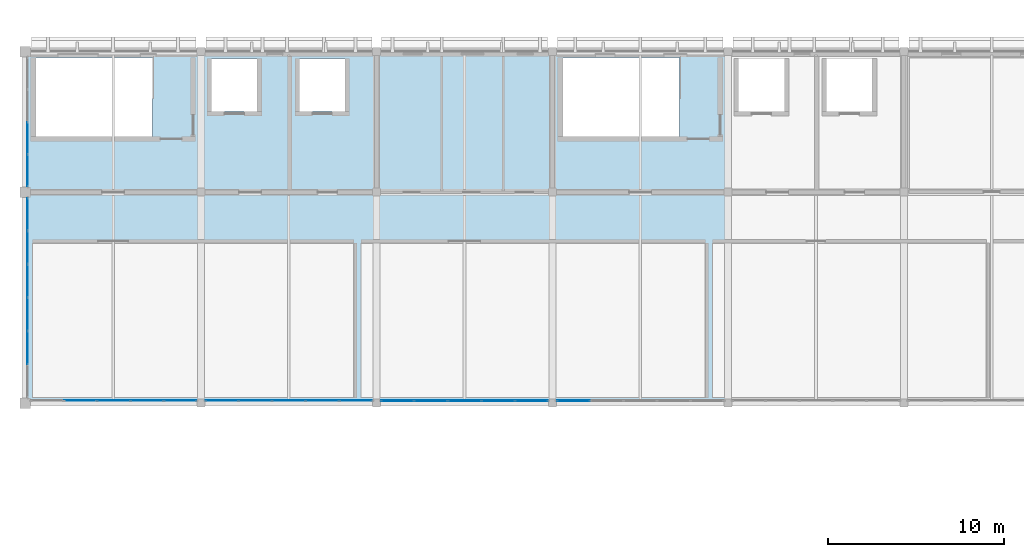
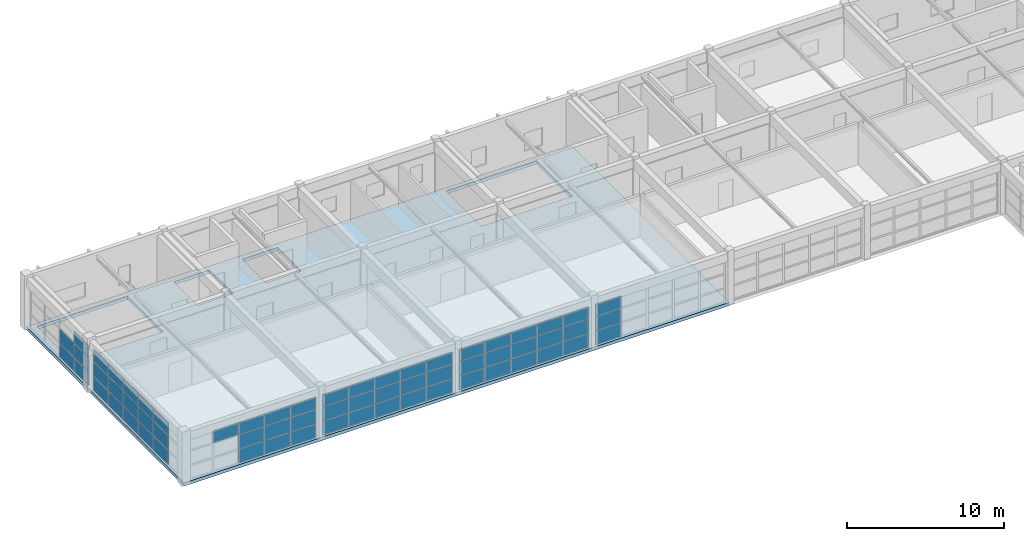
# One storey, part 10 of 16: 63 plates, 1 slab, 6 elements without a shape of their own.
"""IFC4 building model written with IfcOpenShell, lengths in metres."""

from ifc_helpers import new_model, si_unit, direction, frame, origin, origin_2d, place, context, subcontext, project, spatial, polyline, rectangle, outline, extrude, material, layer, layer_set, type_object, element, aggregate, save


model = new_model("IFC4")

# Units and contexts
model_context = context("Model", 3, precision=1e-05, world=origin(), true_north=direction((0.0, 1.0)))
body_context = subcontext(model_context, "Body", "Model", "MODEL_VIEW")
ifc_project = project(units=[si_unit("LENGTHUNIT", "METRE"), si_unit("AREAUNIT", "SQUARE_METRE"), si_unit("VOLUMEUNIT", "CUBIC_METRE"), si_unit("PLANEANGLEUNIT", "RADIAN"), si_unit("MASSUNIT", "GRAM", prefix="KILO")], contexts=[model_context])

# Site, building, storey
site_placement = place(None, origin())
site = spatial("IfcSite", under=ifc_project, at=site_placement, CompositionType="ELEMENT")
building_placement = place(site_placement, origin())
building = spatial("IfcBuilding", under=site, at=building_placement, Name="Kivolera Central Railway Station", CompositionType="ELEMENT")
storey_placement = place(building_placement, frame((0.0, 0.0, 27.0)))
storey = spatial("IfcBuildingStorey", under=building, at=storey_placement, Name="L06", CompositionType="ELEMENT", Elevation=27.0)

# Curtain wall, plates
ifc_material_1 = material(Name="Anodised aluminium", Category="aluminium")
ifc_layer_1 = layer(ifc_material_1, 0.179931640625, Name="Anodised aluminium")
ifc_layer_set_1 = layer_set([ifc_layer_1], Name="Anodised aluminium")
curtain_wall_type_1 = type_object("IfcCurtainWallType", Name="CW-SYS-37", PredefinedType="NOTDEFINED", material=ifc_layer_set_1)
curtain_wall_1_placement = place(storey_placement, origin())
curtain_wall_1 = element("IfcCurtainWall", 1, at=curtain_wall_1_placement, inside=storey, type_object=curtain_wall_type_1, Name="L06 Curtain Wall CW-L06-SOUTH-1", PredefinedType="NOTDEFINED")
ifc_material_2 = material(Name="Double low-E laminated glass", Category="glass")
ifc_layer_2 = layer(ifc_material_2, 0.030029296875, Name="Double low-E laminated glass")
ifc_layer_set_2 = layer_set([ifc_layer_2], Name="Double low-E laminated glass")
plate_type_1 = type_object("IfcPlateType", Name="CWP-GLZ-2", PredefinedType="CURTAIN_PANEL", material=ifc_layer_set_2)
plate_1_placement = place(storey_placement, frame((126.81640625, 114.135009765625, 0.0478515625), z_axis=(0.0, 0.0, 1.0), x_axis=(-1.0, 0.0, 0.0)))
plate_1 = element("IfcPlate", 2, at=plate_1_placement, type_object=plate_type_1, Name="CW-37 panel 1.1", PredefinedType="CURTAIN_PANEL", context=body_context, shape_type="SweptSolid", body=[
    extrude(rectangle(XDim=1.8310546875, YDim=0.030029296875, at=origin_2d()), origin(), (0.0, 0.0, 1.0), 1.060302734375),
])
plate_2_placement = place(storey_placement, frame((126.81640625, 114.135009765625, 1.144287109375), z_axis=(0.0, 0.0, 1.0), x_axis=(-1.0, 0.0, 0.0)))
plate_2 = element("IfcPlate", 3, at=plate_2_placement, type_object=plate_type_1, Name="CW-37 panel 1.2", PredefinedType="CURTAIN_PANEL", context=body_context, shape_type="SweptSolid", body=[
    extrude(rectangle(XDim=1.8310546875, YDim=0.030029296875, at=origin_2d()), origin(), (0.0, 0.0, 1.0), 1.09033203125),
])
plate_3_placement = place(storey_placement, frame((126.81640625, 114.135009765625, 2.2705078125), z_axis=(0.0, 0.0, 1.0), x_axis=(-1.0, 0.0, 0.0)))
plate_3 = element("IfcPlate", 4, at=plate_3_placement, type_object=plate_type_1, Name="CW-37 panel 1.3", PredefinedType="CURTAIN_PANEL", context=body_context, shape_type="SweptSolid", body=[
    extrude(rectangle(XDim=1.8310546875, YDim=0.030029296875, at=origin_2d()), origin(), (0.0, 0.0, 1.0), 0.8994140625),
])
plate_4_placement = place(storey_placement, frame((124.9345703125, 114.135009765625, 0.0478515625), z_axis=(0.0, 0.0, 1.0), x_axis=(-1.0, 0.0, 0.0)))
plate_4 = element("IfcPlate", 5, at=plate_4_placement, type_object=plate_type_1, Name="CW-37 panel 2.1", PredefinedType="CURTAIN_PANEL", context=body_context, shape_type="SweptSolid", body=[
    extrude(rectangle(XDim=1.861083984375, YDim=0.030029296875, at=origin_2d()), origin(), (0.0, 0.0, 1.0), 1.060302734375),
])
plate_5_placement = place(storey_placement, frame((124.9345703125, 114.135009765625, 1.144287109375), z_axis=(0.0, 0.0, 1.0), x_axis=(-1.0, 0.0, 0.0)))
plate_5 = element("IfcPlate", 6, at=plate_5_placement, type_object=plate_type_1, Name="CW-37 panel 2.2", PredefinedType="CURTAIN_PANEL", context=body_context, shape_type="SweptSolid", body=[
    extrude(rectangle(XDim=1.861083984375, YDim=0.030029296875, at=origin_2d()), origin(), (0.0, 0.0, 1.0), 1.09033203125),
])
plate_6_placement = place(storey_placement, frame((124.9345703125, 114.135009765625, 2.2705078125), z_axis=(0.0, 0.0, 1.0), x_axis=(-1.0, 0.0, 0.0)))
plate_6 = element("IfcPlate", 7, at=plate_6_placement, type_object=plate_type_1, Name="CW-37 panel 2.3", PredefinedType="CURTAIN_PANEL", context=body_context, shape_type="SweptSolid", body=[
    extrude(rectangle(XDim=1.861083984375, YDim=0.030029296875, at=origin_2d()), origin(), (0.0, 0.0, 1.0), 0.8994140625),
])
plate_7_placement = place(storey_placement, frame((123.03759765625, 114.135009765625, 0.0478515625), z_axis=(0.0, 0.0, 1.0), x_axis=(-1.0, 0.0, 0.0)))
plate_7 = element("IfcPlate", 8, at=plate_7_placement, type_object=plate_type_1, Name="CW-37 panel 3.1", PredefinedType="CURTAIN_PANEL", context=body_context, shape_type="SweptSolid", body=[
    extrude(rectangle(XDim=1.861083984375, YDim=0.030029296875, at=origin_2d()), origin(), (0.0, 0.0, 1.0), 1.060302734375),
])
plate_8_placement = place(storey_placement, frame((123.03759765625, 114.135009765625, 1.144287109375), z_axis=(0.0, 0.0, 1.0), x_axis=(-1.0, 0.0, 0.0)))
plate_8 = element("IfcPlate", 9, at=plate_8_placement, type_object=plate_type_1, Name="CW-37 panel 3.2", PredefinedType="CURTAIN_PANEL", context=body_context, shape_type="SweptSolid", body=[
    extrude(rectangle(XDim=1.861083984375, YDim=0.030029296875, at=origin_2d()), origin(), (0.0, 0.0, 1.0), 1.09033203125),
])
plate_9_placement = place(storey_placement, frame((123.03759765625, 114.135009765625, 2.2705078125), z_axis=(0.0, 0.0, 1.0), x_axis=(-1.0, 0.0, 0.0)))
plate_9 = element("IfcPlate", 10, at=plate_9_placement, type_object=plate_type_1, Name="CW-37 panel 3.3", PredefinedType="CURTAIN_PANEL", context=body_context, shape_type="SweptSolid", body=[
    extrude(rectangle(XDim=1.861083984375, YDim=0.030029296875, at=origin_2d()), origin(), (0.0, 0.0, 1.0), 0.8994140625),
])
plate_10_placement = place(storey_placement, frame((121.140380859375, 114.135009765625, 2.2705078125), z_axis=(0.0, 0.0, 1.0), x_axis=(-1.0, 0.0, 0.0)))
plate_10 = element("IfcPlate", 11, at=plate_10_placement, type_object=plate_type_1, Name="CW-37 panel 4.3", PredefinedType="CURTAIN_PANEL", context=body_context, shape_type="SweptSolid", body=[
    extrude(rectangle(XDim=1.861083984375, YDim=0.030029296875, at=origin_2d()), origin(), (0.0, 0.0, 1.0), 0.8994140625),
])
aggregate(curtain_wall_1, [plate_1, plate_2, plate_3, plate_4, plate_5, plate_6, plate_7, plate_8, plate_9, plate_10])

ifc_layer_3 = layer(ifc_material_1, 0.179931640625, Name="Anodised aluminium")
ifc_layer_set_3 = layer_set([ifc_layer_3], Name="Anodised aluminium")
curtain_wall_type_2 = type_object("IfcCurtainWallType", Name="CW-SYS-34", PredefinedType="NOTDEFINED", material=ifc_layer_set_3)
curtain_wall_2_placement = place(storey_placement, origin())
curtain_wall_2 = element("IfcCurtainWall", 12, at=curtain_wall_2_placement, inside=storey, type_object=curtain_wall_type_2, Name="L06 Curtain Wall CW-L06-SOUTH-2", PredefinedType="NOTDEFINED")
ifc_layer_4 = layer(ifc_material_2, 0.033935546875, Name="Double low-E laminated glass")
ifc_layer_set_4 = layer_set([ifc_layer_4], Name="Double low-E laminated glass")
plate_type_2 = type_object("IfcPlateType", Name="CWP-GLZ-3", PredefinedType="CURTAIN_PANEL", material=ifc_layer_set_4)
plate_11_placement = place(storey_placement, frame((136.80908203125, 114.135009765625, 0.0478515625), z_axis=(0.0, 0.0, 1.0), x_axis=(-1.0, 0.0, 0.0)))
plate_11 = element("IfcPlate", 13, at=plate_11_placement, type_object=plate_type_2, Name="CW-34 panel 1.1", PredefinedType="CURTAIN_PANEL", context=body_context, shape_type="SweptSolid", body=[
    extrude(rectangle(XDim=1.845947265625, YDim=0.033935546875, at=origin_2d()), origin(), (0.0, 0.0, 1.0), 1.060302734375),
])
plate_12_placement = place(storey_placement, frame((136.80908203125, 114.135009765625, 1.144287109375), z_axis=(0.0, 0.0, 1.0), x_axis=(-1.0, 0.0, 0.0)))
plate_12 = element("IfcPlate", 14, at=plate_12_placement, type_object=plate_type_2, Name="CW-34 panel 1.2", PredefinedType="CURTAIN_PANEL", context=body_context, shape_type="SweptSolid", body=[
    extrude(rectangle(XDim=1.845947265625, YDim=0.033935546875, at=origin_2d()), origin(), (0.0, 0.0, 1.0), 1.09033203125),
])
plate_13_placement = place(storey_placement, frame((136.80908203125, 114.135009765625, 2.2705078125), z_axis=(0.0, 0.0, 1.0), x_axis=(-1.0, 0.0, 0.0)))
plate_13 = element("IfcPlate", 15, at=plate_13_placement, type_object=plate_type_2, Name="CW-34 panel 1.3", PredefinedType="CURTAIN_PANEL", context=body_context, shape_type="SweptSolid", body=[
    extrude(rectangle(XDim=1.845947265625, YDim=0.033935546875, at=origin_2d()), origin(), (0.0, 0.0, 1.0), 0.8994140625),
])
plate_14_placement = place(storey_placement, frame((134.912109375, 114.135009765625, 0.0478515625), z_axis=(0.0, 0.0, 1.0), x_axis=(-1.0, 0.0, 0.0)))
plate_14 = element("IfcPlate", 16, at=plate_14_placement, type_object=plate_type_2, Name="CW-34 panel 2.1", PredefinedType="CURTAIN_PANEL", context=body_context, shape_type="SweptSolid", body=[
    extrude(rectangle(XDim=1.8759765625, YDim=0.033935546875, at=origin_2d()), origin(), (0.0, 0.0, 1.0), 1.060302734375),
])
plate_15_placement = place(storey_placement, frame((134.912109375, 114.135009765625, 1.144287109375), z_axis=(0.0, 0.0, 1.0), x_axis=(-1.0, 0.0, 0.0)))
plate_15 = element("IfcPlate", 17, at=plate_15_placement, type_object=plate_type_2, Name="CW-34 panel 2.2", PredefinedType="CURTAIN_PANEL", context=body_context, shape_type="SweptSolid", body=[
    extrude(rectangle(XDim=1.8759765625, YDim=0.033935546875, at=origin_2d()), origin(), (0.0, 0.0, 1.0), 1.09033203125),
])
plate_16_placement = place(storey_placement, frame((134.912109375, 114.135009765625, 2.2705078125), z_axis=(0.0, 0.0, 1.0), x_axis=(-1.0, 0.0, 0.0)))
plate_16 = element("IfcPlate", 18, at=plate_16_placement, type_object=plate_type_2, Name="CW-34 panel 2.3", PredefinedType="CURTAIN_PANEL", context=body_context, shape_type="SweptSolid", body=[
    extrude(rectangle(XDim=1.8759765625, YDim=0.033935546875, at=origin_2d()), origin(), (0.0, 0.0, 1.0), 0.8994140625),
])
plate_17_placement = place(storey_placement, frame((133.0, 114.135009765625, 0.0478515625), z_axis=(0.0, 0.0, 1.0), x_axis=(-1.0, 0.0, 0.0)))
plate_17 = element("IfcPlate", 19, at=plate_17_placement, type_object=plate_type_2, Name="CW-34 panel 3.1", PredefinedType="CURTAIN_PANEL", context=body_context, shape_type="SweptSolid", body=[
    extrude(rectangle(XDim=1.8759765625, YDim=0.033935546875, at=origin_2d()), origin(), (0.0, 0.0, 1.0), 1.060302734375),
])
plate_18_placement = place(storey_placement, frame((133.0, 114.135009765625, 1.144287109375), z_axis=(0.0, 0.0, 1.0), x_axis=(-1.0, 0.0, 0.0)))
plate_18 = element("IfcPlate", 20, at=plate_18_placement, type_object=plate_type_2, Name="CW-34 panel 3.2", PredefinedType="CURTAIN_PANEL", context=body_context, shape_type="SweptSolid", body=[
    extrude(rectangle(XDim=1.8759765625, YDim=0.033935546875, at=origin_2d()), origin(), (0.0, 0.0, 1.0), 1.09033203125),
])
plate_19_placement = place(storey_placement, frame((133.0, 114.135009765625, 2.2705078125), z_axis=(0.0, 0.0, 1.0), x_axis=(-1.0, 0.0, 0.0)))
plate_19 = element("IfcPlate", 21, at=plate_19_placement, type_object=plate_type_2, Name="CW-34 panel 3.3", PredefinedType="CURTAIN_PANEL", context=body_context, shape_type="SweptSolid", body=[
    extrude(rectangle(XDim=1.8759765625, YDim=0.033935546875, at=origin_2d()), origin(), (0.0, 0.0, 1.0), 0.8994140625),
])
plate_20_placement = place(storey_placement, frame((131.087890625, 114.135009765625, 0.0478515625), z_axis=(0.0, 0.0, 1.0), x_axis=(-1.0, 0.0, 0.0)))
plate_20 = element("IfcPlate", 22, at=plate_20_placement, type_object=plate_type_2, Name="CW-34 panel 4.1", PredefinedType="CURTAIN_PANEL", context=body_context, shape_type="SweptSolid", body=[
    extrude(rectangle(XDim=1.8759765625, YDim=0.033935546875, at=origin_2d()), origin(), (0.0, 0.0, 1.0), 1.060302734375),
])
plate_21_placement = place(storey_placement, frame((131.087890625, 114.135009765625, 1.144287109375), z_axis=(0.0, 0.0, 1.0), x_axis=(-1.0, 0.0, 0.0)))
plate_21 = element("IfcPlate", 23, at=plate_21_placement, type_object=plate_type_2, Name="CW-34 panel 4.2", PredefinedType="CURTAIN_PANEL", context=body_context, shape_type="SweptSolid", body=[
    extrude(rectangle(XDim=1.8759765625, YDim=0.033935546875, at=origin_2d()), origin(), (0.0, 0.0, 1.0), 1.09033203125),
])
plate_22_placement = place(storey_placement, frame((131.087890625, 114.135009765625, 2.2705078125), z_axis=(0.0, 0.0, 1.0), x_axis=(-1.0, 0.0, 0.0)))
plate_22 = element("IfcPlate", 24, at=plate_22_placement, type_object=plate_type_2, Name="CW-34 panel 4.3", PredefinedType="CURTAIN_PANEL", context=body_context, shape_type="SweptSolid", body=[
    extrude(rectangle(XDim=1.8759765625, YDim=0.033935546875, at=origin_2d()), origin(), (0.0, 0.0, 1.0), 0.8994140625),
])
plate_23_placement = place(storey_placement, frame((129.19091796875, 114.135009765625, 0.0478515625), z_axis=(0.0, 0.0, 1.0), x_axis=(-1.0, 0.0, 0.0)))
plate_23 = element("IfcPlate", 25, at=plate_23_placement, type_object=plate_type_2, Name="CW-34 panel 5.1", PredefinedType="CURTAIN_PANEL", context=body_context, shape_type="SweptSolid", body=[
    extrude(rectangle(XDim=1.845947265625, YDim=0.033935546875, at=origin_2d()), origin(), (0.0, 0.0, 1.0), 1.060302734375),
])
plate_24_placement = place(storey_placement, frame((129.19091796875, 114.135009765625, 1.144287109375), z_axis=(0.0, 0.0, 1.0), x_axis=(-1.0, 0.0, 0.0)))
plate_24 = element("IfcPlate", 26, at=plate_24_placement, type_object=plate_type_2, Name="CW-34 panel 5.2", PredefinedType="CURTAIN_PANEL", context=body_context, shape_type="SweptSolid", body=[
    extrude(rectangle(XDim=1.845947265625, YDim=0.033935546875, at=origin_2d()), origin(), (0.0, 0.0, 1.0), 1.09033203125),
])
plate_25_placement = place(storey_placement, frame((129.19091796875, 114.135009765625, 2.2705078125), z_axis=(0.0, 0.0, 1.0), x_axis=(-1.0, 0.0, 0.0)))
plate_25 = element("IfcPlate", 27, at=plate_25_placement, type_object=plate_type_2, Name="CW-34 panel 5.3", PredefinedType="CURTAIN_PANEL", context=body_context, shape_type="SweptSolid", body=[
    extrude(rectangle(XDim=1.845947265625, YDim=0.033935546875, at=origin_2d()), origin(), (0.0, 0.0, 1.0), 0.8994140625),
])
aggregate(curtain_wall_2, [plate_11, plate_12, plate_13, plate_14, plate_15, plate_16, plate_17, plate_18, plate_19, plate_20, plate_21, plate_22, plate_23, plate_24, plate_25])

curtain_wall_3_placement = place(storey_placement, origin())
curtain_wall_3 = element("IfcCurtainWall", 28, at=curtain_wall_3_placement, inside=storey, type_object=curtain_wall_type_2, Name="L06 Curtain Wall CW-L06-SOUTH-3", PredefinedType="NOTDEFINED")
ifc_layer_5 = layer(ifc_material_2, 0.0380859375, Name="Double low-E laminated glass")
ifc_layer_set_5 = layer_set([ifc_layer_5], Name="Double low-E laminated glass")
plate_type_3 = type_object("IfcPlateType", Name="CWP-GLZ-4", PredefinedType="CURTAIN_PANEL", material=ifc_layer_set_5)
plate_26_placement = place(storey_placement, frame((146.80908203125, 114.135009765625, 0.0478515625), z_axis=(0.0, 0.0, 1.0), x_axis=(-1.0, 0.0, 0.0)))
plate_26 = element("IfcPlate", 29, at=plate_26_placement, type_object=plate_type_3, Name="CW-34 panel 1.1", PredefinedType="CURTAIN_PANEL", context=body_context, shape_type="SweptSolid", body=[
    extrude(rectangle(XDim=1.845947265625, YDim=0.0380859375, at=origin_2d()), origin(), (0.0, 0.0, 1.0), 1.060302734375),
])
plate_27_placement = place(storey_placement, frame((146.80908203125, 114.135009765625, 1.144287109375), z_axis=(0.0, 0.0, 1.0), x_axis=(-1.0, 0.0, 0.0)))
plate_27 = element("IfcPlate", 30, at=plate_27_placement, type_object=plate_type_3, Name="CW-34 panel 1.2", PredefinedType="CURTAIN_PANEL", context=body_context, shape_type="SweptSolid", body=[
    extrude(rectangle(XDim=1.845947265625, YDim=0.0380859375, at=origin_2d()), origin(), (0.0, 0.0, 1.0), 1.09033203125),
])
plate_28_placement = place(storey_placement, frame((146.80908203125, 114.135009765625, 2.2705078125), z_axis=(0.0, 0.0, 1.0), x_axis=(-1.0, 0.0, 0.0)))
plate_28 = element("IfcPlate", 31, at=plate_28_placement, type_object=plate_type_3, Name="CW-34 panel 1.3", PredefinedType="CURTAIN_PANEL", context=body_context, shape_type="SweptSolid", body=[
    extrude(rectangle(XDim=1.845947265625, YDim=0.0380859375, at=origin_2d()), origin(), (0.0, 0.0, 1.0), 0.8994140625),
])
plate_29_placement = place(storey_placement, frame((144.912109375, 114.135009765625, 0.0478515625), z_axis=(0.0, 0.0, 1.0), x_axis=(-1.0, 0.0, 0.0)))
plate_29 = element("IfcPlate", 32, at=plate_29_placement, type_object=plate_type_3, Name="CW-34 panel 2.1", PredefinedType="CURTAIN_PANEL", context=body_context, shape_type="SweptSolid", body=[
    extrude(rectangle(XDim=1.8759765625, YDim=0.0380859375, at=origin_2d()), origin(), (0.0, 0.0, 1.0), 1.060302734375),
])
plate_30_placement = place(storey_placement, frame((144.912109375, 114.135009765625, 1.144287109375), z_axis=(0.0, 0.0, 1.0), x_axis=(-1.0, 0.0, 0.0)))
plate_30 = element("IfcPlate", 33, at=plate_30_placement, type_object=plate_type_3, Name="CW-34 panel 2.2", PredefinedType="CURTAIN_PANEL", context=body_context, shape_type="SweptSolid", body=[
    extrude(rectangle(XDim=1.8759765625, YDim=0.0380859375, at=origin_2d()), origin(), (0.0, 0.0, 1.0), 1.09033203125),
])
plate_31_placement = place(storey_placement, frame((144.912109375, 114.135009765625, 2.2705078125), z_axis=(0.0, 0.0, 1.0), x_axis=(-1.0, 0.0, 0.0)))
plate_31 = element("IfcPlate", 34, at=plate_31_placement, type_object=plate_type_3, Name="CW-34 panel 2.3", PredefinedType="CURTAIN_PANEL", context=body_context, shape_type="SweptSolid", body=[
    extrude(rectangle(XDim=1.8759765625, YDim=0.0380859375, at=origin_2d()), origin(), (0.0, 0.0, 1.0), 0.8994140625),
])
plate_32_placement = place(storey_placement, frame((143.0, 114.135009765625, 0.0478515625), z_axis=(0.0, 0.0, 1.0), x_axis=(-1.0, 0.0, 0.0)))
plate_32 = element("IfcPlate", 35, at=plate_32_placement, type_object=plate_type_3, Name="CW-34 panel 3.1", PredefinedType="CURTAIN_PANEL", context=body_context, shape_type="SweptSolid", body=[
    extrude(rectangle(XDim=1.8759765625, YDim=0.0380859375, at=origin_2d()), origin(), (0.0, 0.0, 1.0), 1.060302734375),
])
plate_33_placement = place(storey_placement, frame((143.0, 114.135009765625, 1.144287109375), z_axis=(0.0, 0.0, 1.0), x_axis=(-1.0, 0.0, 0.0)))
plate_33 = element("IfcPlate", 36, at=plate_33_placement, type_object=plate_type_3, Name="CW-34 panel 3.2", PredefinedType="CURTAIN_PANEL", context=body_context, shape_type="SweptSolid", body=[
    extrude(rectangle(XDim=1.8759765625, YDim=0.0380859375, at=origin_2d()), origin(), (0.0, 0.0, 1.0), 1.09033203125),
])
plate_34_placement = place(storey_placement, frame((143.0, 114.135009765625, 2.2705078125), z_axis=(0.0, 0.0, 1.0), x_axis=(-1.0, 0.0, 0.0)))
plate_34 = element("IfcPlate", 37, at=plate_34_placement, type_object=plate_type_3, Name="CW-34 panel 3.3", PredefinedType="CURTAIN_PANEL", context=body_context, shape_type="SweptSolid", body=[
    extrude(rectangle(XDim=1.8759765625, YDim=0.0380859375, at=origin_2d()), origin(), (0.0, 0.0, 1.0), 0.8994140625),
])
plate_35_placement = place(storey_placement, frame((141.087890625, 114.135009765625, 0.0478515625), z_axis=(0.0, 0.0, 1.0), x_axis=(-1.0, 0.0, 0.0)))
plate_35 = element("IfcPlate", 38, at=plate_35_placement, type_object=plate_type_3, Name="CW-34 panel 4.1", PredefinedType="CURTAIN_PANEL", context=body_context, shape_type="SweptSolid", body=[
    extrude(rectangle(XDim=1.8759765625, YDim=0.0380859375, at=origin_2d()), origin(), (0.0, 0.0, 1.0), 1.060302734375),
])
plate_36_placement = place(storey_placement, frame((141.087890625, 114.135009765625, 1.144287109375), z_axis=(0.0, 0.0, 1.0), x_axis=(-1.0, 0.0, 0.0)))
plate_36 = element("IfcPlate", 39, at=plate_36_placement, type_object=plate_type_3, Name="CW-34 panel 4.2", PredefinedType="CURTAIN_PANEL", context=body_context, shape_type="SweptSolid", body=[
    extrude(rectangle(XDim=1.8759765625, YDim=0.0380859375, at=origin_2d()), origin(), (0.0, 0.0, 1.0), 1.09033203125),
])
plate_37_placement = place(storey_placement, frame((141.087890625, 114.135009765625, 2.2705078125), z_axis=(0.0, 0.0, 1.0), x_axis=(-1.0, 0.0, 0.0)))
plate_37 = element("IfcPlate", 40, at=plate_37_placement, type_object=plate_type_3, Name="CW-34 panel 4.3", PredefinedType="CURTAIN_PANEL", context=body_context, shape_type="SweptSolid", body=[
    extrude(rectangle(XDim=1.8759765625, YDim=0.0380859375, at=origin_2d()), origin(), (0.0, 0.0, 1.0), 0.8994140625),
])
plate_38_placement = place(storey_placement, frame((139.19091796875, 114.135009765625, 0.0478515625), z_axis=(0.0, 0.0, 1.0), x_axis=(-1.0, 0.0, 0.0)))
plate_38 = element("IfcPlate", 41, at=plate_38_placement, type_object=plate_type_3, Name="CW-34 panel 5.1", PredefinedType="CURTAIN_PANEL", context=body_context, shape_type="SweptSolid", body=[
    extrude(rectangle(XDim=1.845947265625, YDim=0.0380859375, at=origin_2d()), origin(), (0.0, 0.0, 1.0), 1.060302734375),
])
plate_39_placement = place(storey_placement, frame((139.19091796875, 114.135009765625, 1.144287109375), z_axis=(0.0, 0.0, 1.0), x_axis=(-1.0, 0.0, 0.0)))
plate_39 = element("IfcPlate", 42, at=plate_39_placement, type_object=plate_type_3, Name="CW-34 panel 5.2", PredefinedType="CURTAIN_PANEL", context=body_context, shape_type="SweptSolid", body=[
    extrude(rectangle(XDim=1.845947265625, YDim=0.0380859375, at=origin_2d()), origin(), (0.0, 0.0, 1.0), 1.09033203125),
])
plate_40_placement = place(storey_placement, frame((139.19091796875, 114.135009765625, 2.2705078125), z_axis=(0.0, 0.0, 1.0), x_axis=(-1.0, 0.0, 0.0)))
plate_40 = element("IfcPlate", 43, at=plate_40_placement, type_object=plate_type_3, Name="CW-34 panel 5.3", PredefinedType="CURTAIN_PANEL", context=body_context, shape_type="SweptSolid", body=[
    extrude(rectangle(XDim=1.845947265625, YDim=0.0380859375, at=origin_2d()), origin(), (0.0, 0.0, 1.0), 0.8994140625),
])
aggregate(curtain_wall_3, [plate_26, plate_27, plate_28, plate_29, plate_30, plate_31, plate_32, plate_33, plate_34, plate_35, plate_36, plate_37, plate_38, plate_39, plate_40])

ifc_layer_6 = layer(ifc_material_1, 0.179931640625, Name="Anodised aluminium")
ifc_layer_set_6 = layer_set([ifc_layer_6], Name="Anodised aluminium")
curtain_wall_type_3 = type_object("IfcCurtainWallType", Name="CW-SYS-33", PredefinedType="NOTDEFINED", material=ifc_layer_set_6)
curtain_wall_4_placement = place(storey_placement, origin())
curtain_wall_4 = element("IfcCurtainWall", 44, at=curtain_wall_4_placement, inside=storey, type_object=curtain_wall_type_3, Name="L06 Curtain Wall CW-L06-WEST-K", PredefinedType="NOTDEFINED")
plate_41_placement = place(storey_placement, frame((118.135009765625, 117.1474609375, 0.048095703125), z_axis=(0.0, 0.0, 1.0), x_axis=(0.0, 1.0, 0.0)))
plate_41 = element("IfcPlate", 45, at=plate_41_placement, type_object=plate_type_3, Name="CW-33 panel 2.1", PredefinedType="CURTAIN_PANEL", context=body_context, shape_type="SweptSolid", body=[
    extrude(rectangle(XDim=1.86572265625, YDim=0.0380859375, at=origin_2d()), origin(), (0.0, 0.0, 1.0), 1.09521484375),
])
plate_42_placement = place(storey_placement, frame((118.135009765625, 117.1474609375, 1.17919921875), z_axis=(0.0, 0.0, 1.0), x_axis=(0.0, 1.0, 0.0)))
plate_42 = element("IfcPlate", 46, at=plate_42_placement, type_object=plate_type_3, Name="CW-33 panel 2.2", PredefinedType="CURTAIN_PANEL", context=body_context, shape_type="SweptSolid", body=[
    extrude(rectangle(XDim=1.86572265625, YDim=0.0380859375, at=origin_2d()), origin(), (0.0, 0.0, 1.0), 1.125244140625),
])
plate_43_placement = place(storey_placement, frame((118.135009765625, 117.1474609375, 2.3408203125), z_axis=(0.0, 0.0, 1.0), x_axis=(0.0, 1.0, 0.0)))
plate_43 = element("IfcPlate", 47, at=plate_43_placement, type_object=plate_type_3, Name="CW-33 panel 2.3", PredefinedType="CURTAIN_PANEL", context=body_context, shape_type="SweptSolid", body=[
    extrude(rectangle(XDim=1.86572265625, YDim=0.0380859375, at=origin_2d()), origin(), (0.0, 0.0, 1.0), 0.929443359375),
])
plate_44_placement = place(storey_placement, frame((118.135009765625, 119.049072265625, 0.048095703125), z_axis=(0.0, 0.0, 1.0), x_axis=(0.0, 1.0, 0.0)))
plate_44 = element("IfcPlate", 48, at=plate_44_placement, type_object=plate_type_3, Name="CW-33 panel 3.1", PredefinedType="CURTAIN_PANEL", context=body_context, shape_type="SweptSolid", body=[
    extrude(rectangle(XDim=1.86572265625, YDim=0.0380859375, at=origin_2d()), origin(), (0.0, 0.0, 1.0), 1.09521484375),
])
plate_45_placement = place(storey_placement, frame((118.135009765625, 119.049072265625, 1.17919921875), z_axis=(0.0, 0.0, 1.0), x_axis=(0.0, 1.0, 0.0)))
plate_45 = element("IfcPlate", 49, at=plate_45_placement, type_object=plate_type_3, Name="CW-33 panel 3.2", PredefinedType="CURTAIN_PANEL", context=body_context, shape_type="SweptSolid", body=[
    extrude(rectangle(XDim=1.86572265625, YDim=0.0380859375, at=origin_2d()), origin(), (0.0, 0.0, 1.0), 1.125244140625),
])
plate_46_placement = place(storey_placement, frame((118.135009765625, 119.049072265625, 2.3408203125), z_axis=(0.0, 0.0, 1.0), x_axis=(0.0, 1.0, 0.0)))
plate_46 = element("IfcPlate", 50, at=plate_46_placement, type_object=plate_type_3, Name="CW-33 panel 3.3", PredefinedType="CURTAIN_PANEL", context=body_context, shape_type="SweptSolid", body=[
    extrude(rectangle(XDim=1.86572265625, YDim=0.0380859375, at=origin_2d()), origin(), (0.0, 0.0, 1.0), 0.929443359375),
])
plate_47_placement = place(storey_placement, frame((118.135009765625, 120.950927734375, 0.048095703125), z_axis=(0.0, 0.0, 1.0), x_axis=(0.0, 1.0, 0.0)))
plate_47 = element("IfcPlate", 51, at=plate_47_placement, type_object=plate_type_3, Name="CW-33 panel 4.1", PredefinedType="CURTAIN_PANEL", context=body_context, shape_type="SweptSolid", body=[
    extrude(rectangle(XDim=1.86572265625, YDim=0.0380859375, at=origin_2d()), origin(), (0.0, 0.0, 1.0), 1.09521484375),
])
plate_48_placement = place(storey_placement, frame((118.135009765625, 120.950927734375, 1.17919921875), z_axis=(0.0, 0.0, 1.0), x_axis=(0.0, 1.0, 0.0)))
plate_48 = element("IfcPlate", 52, at=plate_48_placement, type_object=plate_type_3, Name="CW-33 panel 4.2", PredefinedType="CURTAIN_PANEL", context=body_context, shape_type="SweptSolid", body=[
    extrude(rectangle(XDim=1.86572265625, YDim=0.0380859375, at=origin_2d()), origin(), (0.0, 0.0, 1.0), 1.125244140625),
])
plate_49_placement = place(storey_placement, frame((118.135009765625, 120.950927734375, 2.3408203125), z_axis=(0.0, 0.0, 1.0), x_axis=(0.0, 1.0, 0.0)))
plate_49 = element("IfcPlate", 53, at=plate_49_placement, type_object=plate_type_3, Name="CW-33 panel 4.3", PredefinedType="CURTAIN_PANEL", context=body_context, shape_type="SweptSolid", body=[
    extrude(rectangle(XDim=1.86572265625, YDim=0.0380859375, at=origin_2d()), origin(), (0.0, 0.0, 1.0), 0.929443359375),
])
plate_50_placement = place(storey_placement, frame((118.135009765625, 122.8525390625, 0.048095703125), z_axis=(0.0, 0.0, 1.0), x_axis=(0.0, 1.0, 0.0)))
plate_50 = element("IfcPlate", 54, at=plate_50_placement, type_object=plate_type_3, Name="CW-33 panel 5.1", PredefinedType="CURTAIN_PANEL", context=body_context, shape_type="SweptSolid", body=[
    extrude(rectangle(XDim=1.86572265625, YDim=0.0380859375, at=origin_2d()), origin(), (0.0, 0.0, 1.0), 1.09521484375),
])
plate_51_placement = place(storey_placement, frame((118.135009765625, 122.8525390625, 1.17919921875), z_axis=(0.0, 0.0, 1.0), x_axis=(0.0, 1.0, 0.0)))
plate_51 = element("IfcPlate", 55, at=plate_51_placement, type_object=plate_type_3, Name="CW-33 panel 5.2", PredefinedType="CURTAIN_PANEL", context=body_context, shape_type="SweptSolid", body=[
    extrude(rectangle(XDim=1.86572265625, YDim=0.0380859375, at=origin_2d()), origin(), (0.0, 0.0, 1.0), 1.125244140625),
])
plate_52_placement = place(storey_placement, frame((118.135009765625, 122.8525390625, 2.3408203125), z_axis=(0.0, 0.0, 1.0), x_axis=(0.0, 1.0, 0.0)))
plate_52 = element("IfcPlate", 56, at=plate_52_placement, type_object=plate_type_3, Name="CW-33 panel 5.3", PredefinedType="CURTAIN_PANEL", context=body_context, shape_type="SweptSolid", body=[
    extrude(rectangle(XDim=1.86572265625, YDim=0.0380859375, at=origin_2d()), origin(), (0.0, 0.0, 1.0), 0.929443359375),
])
plate_53_placement = place(storey_placement, frame((118.135009765625, 124.7392578125, 0.048095703125), z_axis=(0.0, 0.0, 1.0), x_axis=(0.0, 1.0, 0.0)))
plate_53 = element("IfcPlate", 57, at=plate_53_placement, type_object=plate_type_3, Name="CW-33 panel 6.1", PredefinedType="CURTAIN_PANEL", context=body_context, shape_type="SweptSolid", body=[
    extrude(rectangle(XDim=1.835693359375, YDim=0.0380859375, at=origin_2d()), origin(), (0.0, 0.0, 1.0), 1.09521484375),
])
plate_54_placement = place(storey_placement, frame((118.135009765625, 124.7392578125, 1.17919921875), z_axis=(0.0, 0.0, 1.0), x_axis=(0.0, 1.0, 0.0)))
plate_54 = element("IfcPlate", 58, at=plate_54_placement, type_object=plate_type_3, Name="CW-33 panel 6.2", PredefinedType="CURTAIN_PANEL", context=body_context, shape_type="SweptSolid", body=[
    extrude(rectangle(XDim=1.835693359375, YDim=0.0380859375, at=origin_2d()), origin(), (0.0, 0.0, 1.0), 1.125244140625),
])
plate_55_placement = place(storey_placement, frame((118.135009765625, 124.7392578125, 2.3408203125), z_axis=(0.0, 0.0, 1.0), x_axis=(0.0, 1.0, 0.0)))
plate_55 = element("IfcPlate", 59, at=plate_55_placement, type_object=plate_type_3, Name="CW-33 panel 6.3", PredefinedType="CURTAIN_PANEL", context=body_context, shape_type="SweptSolid", body=[
    extrude(rectangle(XDim=1.835693359375, YDim=0.0380859375, at=origin_2d()), origin(), (0.0, 0.0, 1.0), 0.929443359375),
])
aggregate(curtain_wall_4, [plate_41, plate_42, plate_43, plate_44, plate_45, plate_46, plate_47, plate_48, plate_49, plate_50, plate_51, plate_52, plate_53, plate_54, plate_55])

ifc_layer_7 = layer(ifc_material_1, 0.179931640625, Name="Anodised aluminium")
ifc_layer_set_7 = layer_set([ifc_layer_7], Name="Anodised aluminium")
curtain_wall_type_4 = type_object("IfcCurtainWallType", Name="CW-SYS-36", PredefinedType="NOTDEFINED", material=ifc_layer_set_7)
curtain_wall_5_placement = place(storey_placement, origin())
curtain_wall_5 = element("IfcCurtainWall", 60, at=curtain_wall_5_placement, inside=storey, type_object=curtain_wall_type_4, Name="L06 Curtain Wall CW-L06-WEST-L", PredefinedType="NOTDEFINED")
plate_56_placement = place(storey_placement, frame((118.135009765625, 127.236328125, 0.0478515625), z_axis=(0.0, 0.0, 1.0), x_axis=(0.0, 1.0, 0.0)))
plate_56 = element("IfcPlate", 61, at=plate_56_placement, type_object=plate_type_3, Name="CW-36 panel 1.1", PredefinedType="CURTAIN_PANEL", context=body_context, shape_type="SweptSolid", body=[
    extrude(rectangle(XDim=1.78662109375, YDim=0.0380859375, at=origin_2d()), origin(), (0.0, 0.0, 1.0), 1.060302734375),
])
plate_57_placement = place(storey_placement, frame((118.135009765625, 127.236328125, 1.144287109375), z_axis=(0.0, 0.0, 1.0), x_axis=(0.0, 1.0, 0.0)))
plate_57 = element("IfcPlate", 62, at=plate_57_placement, type_object=plate_type_3, Name="CW-36 panel 1.2", PredefinedType="CURTAIN_PANEL", context=body_context, shape_type="SweptSolid", body=[
    extrude(rectangle(XDim=1.78662109375, YDim=0.0380859375, at=origin_2d()), origin(), (0.0, 0.0, 1.0), 1.09033203125),
])
plate_58_placement = place(storey_placement, frame((118.135009765625, 127.236328125, 2.2705078125), z_axis=(0.0, 0.0, 1.0), x_axis=(0.0, 1.0, 0.0)))
plate_58 = element("IfcPlate", 63, at=plate_58_placement, type_object=plate_type_3, Name="CW-36 panel 1.3", PredefinedType="CURTAIN_PANEL", context=body_context, shape_type="SweptSolid", body=[
    extrude(rectangle(XDim=1.78662109375, YDim=0.0380859375, at=origin_2d()), origin(), (0.0, 0.0, 1.0), 0.8994140625),
])
plate_59_placement = place(storey_placement, frame((118.135009765625, 129.07373046875, 0.0478515625), z_axis=(0.0, 0.0, 1.0), x_axis=(0.0, 1.0, 0.0)))
plate_59 = element("IfcPlate", 64, at=plate_59_placement, type_object=plate_type_3, Name="CW-36 panel 2.1", PredefinedType="CURTAIN_PANEL", context=body_context, shape_type="SweptSolid", body=[
    extrude(rectangle(XDim=1.81640625, YDim=0.0380859375, at=origin_2d()), origin(), (0.0, 0.0, 1.0), 1.060302734375),
])
plate_60_placement = place(storey_placement, frame((118.135009765625, 129.07373046875, 1.144287109375), z_axis=(0.0, 0.0, 1.0), x_axis=(0.0, 1.0, 0.0)))
plate_60 = element("IfcPlate", 65, at=plate_60_placement, type_object=plate_type_3, Name="CW-36 panel 2.2", PredefinedType="CURTAIN_PANEL", context=body_context, shape_type="SweptSolid", body=[
    extrude(rectangle(XDim=1.81640625, YDim=0.0380859375, at=origin_2d()), origin(), (0.0, 0.0, 1.0), 1.09033203125),
])
aggregate(curtain_wall_5, [plate_56, plate_57, plate_58, plate_59, plate_60])

curtain_wall_6_placement = place(storey_placement, origin())
curtain_wall_6 = element("IfcCurtainWall", 66, at=curtain_wall_6_placement, inside=storey, type_object=curtain_wall_type_2, Name="L06 Curtain Wall CW-L06-SOUTH-4", PredefinedType="NOTDEFINED")
ifc_layer_8 = layer(ifc_material_2, 0.0419921875, Name="Double low-E laminated glass")
ifc_layer_set_8 = layer_set([ifc_layer_8], Name="Double low-E laminated glass")
plate_type_4 = type_object("IfcPlateType", Name="CWP-GLZ-5", PredefinedType="CURTAIN_PANEL", material=ifc_layer_set_8)
plate_61_placement = place(storey_placement, frame((149.19091796875, 114.135009765625, 0.0478515625), z_axis=(0.0, 0.0, 1.0), x_axis=(-1.0, 0.0, 0.0)))
plate_61 = element("IfcPlate", 67, at=plate_61_placement, type_object=plate_type_4, Name="CW-34 panel 5.1", PredefinedType="CURTAIN_PANEL", context=body_context, shape_type="SweptSolid", body=[
    extrude(rectangle(XDim=1.845947265625, YDim=0.0419921875, at=origin_2d()), origin(), (0.0, 0.0, 1.0), 1.060302734375),
])
plate_62_placement = place(storey_placement, frame((149.19091796875, 114.135009765625, 1.144287109375), z_axis=(0.0, 0.0, 1.0), x_axis=(-1.0, 0.0, 0.0)))
plate_62 = element("IfcPlate", 68, at=plate_62_placement, type_object=plate_type_4, Name="CW-34 panel 5.2", PredefinedType="CURTAIN_PANEL", context=body_context, shape_type="SweptSolid", body=[
    extrude(rectangle(XDim=1.845947265625, YDim=0.0419921875, at=origin_2d()), origin(), (0.0, 0.0, 1.0), 1.09033203125),
])
plate_63_placement = place(storey_placement, frame((149.19091796875, 114.135009765625, 2.2705078125), z_axis=(0.0, 0.0, 1.0), x_axis=(-1.0, 0.0, 0.0)))
plate_63 = element("IfcPlate", 69, at=plate_63_placement, type_object=plate_type_4, Name="CW-34 panel 5.3", PredefinedType="CURTAIN_PANEL", context=body_context, shape_type="SweptSolid", body=[
    extrude(rectangle(XDim=1.845947265625, YDim=0.0419921875, at=origin_2d()), origin(), (0.0, 0.0, 1.0), 0.8994140625),
])
aggregate(curtain_wall_6, [plate_61, plate_62, plate_63])

# Slab
ifc_material_3 = material(Name="Concrete C40/50", Category="concrete")
ifc_layer_9 = layer(ifc_material_3, 0.25, Name="Concrete C40/50")
ifc_layer_set_9 = layer_set([ifc_layer_9], Name="Concrete C40/50")
slab_type = type_object("IfcSlabType", Name="SLB-FLR-250", PredefinedType="FLOOR", material=ifc_layer_set_9)
slab_placement = place(storey_placement, frame((0.0, 0.0, -0.25)))
element("IfcSlab", 70, at=slab_placement, inside=storey, type_object=slab_type, Name="L06 Wing NORTH-W Floor Slab", PredefinedType="FLOOR", context=body_context, shape_type="SweptSolid", body=[
    extrude(outline(polyline([(118.0, 114.0), (158.0, 114.0), (158.0, 134.0), (118.0, 134.0), (118.0, 114.0)]), holes=[polyline([(125.239990234375, 133.679931640625), (118.60009765625, 133.679931640625), (118.60009765625, 129.179931640625), (125.239990234375, 129.179931640625), (125.239990234375, 133.679931640625)]), polyline([(155.239990234375, 133.679931640625), (148.60009765625, 133.679931640625), (148.60009765625, 129.179931640625), (155.239990234375, 129.179931640625), (155.239990234375, 133.679931640625)]), polyline([(128.60009765625, 130.60009765625), (131.199951171875, 130.60009765625), (131.199951171875, 133.60009765625), (128.60009765625, 133.60009765625), (128.60009765625, 130.60009765625)]), polyline([(133.60009765625, 130.60009765625), (136.199951171875, 130.60009765625), (136.199951171875, 133.60009765625), (133.60009765625, 133.60009765625), (133.60009765625, 130.60009765625)])]), origin(), (0.0, 0.0, 1.0), 0.25),
])

save(model, "model.ifc")
